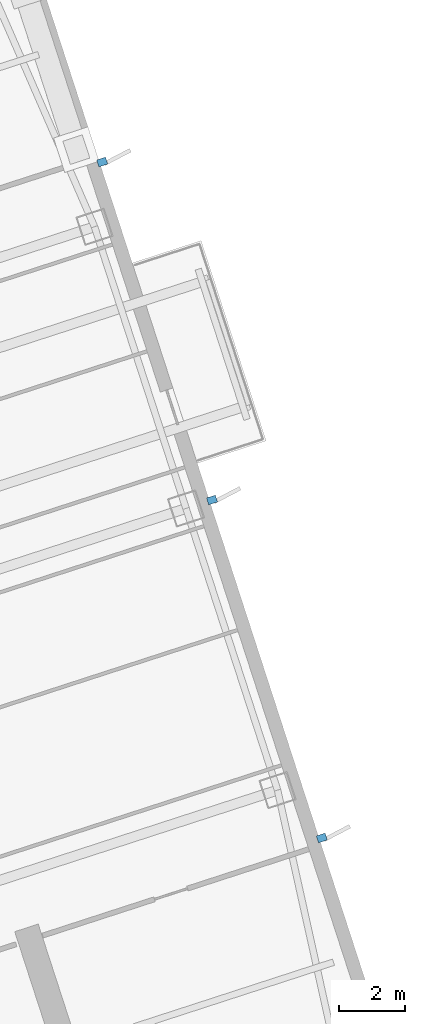
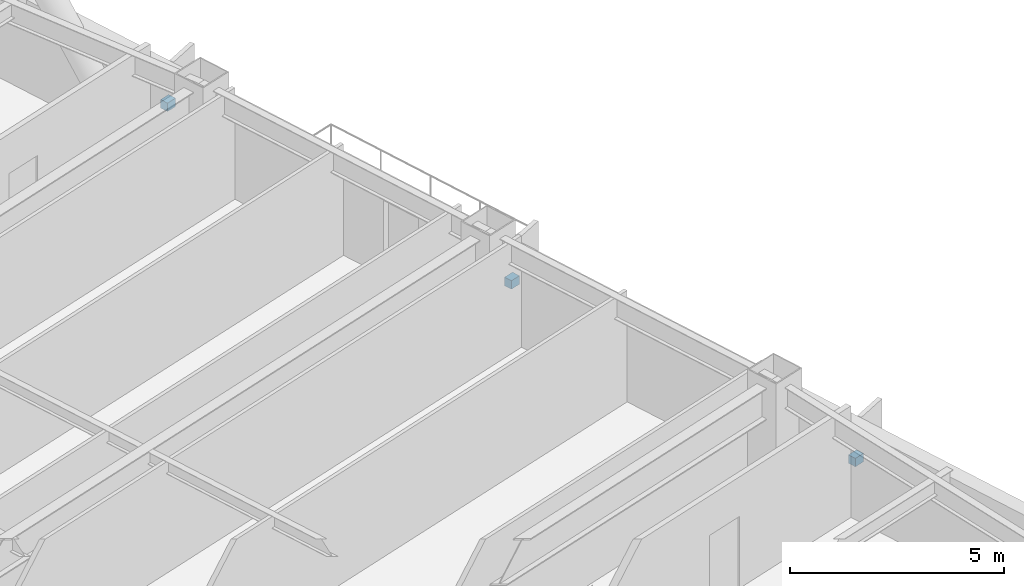
# One storey, part 14 of 19: 3 discrete accessories.
"""IFC4 building model written with IfcOpenShell, lengths in metres."""

from ifc_helpers import new_model, si_unit, direction, frame, origin, origin_2d, place, context, subcontext, project, spatial, rectangle, extrude, material, type_object, element, save


model = new_model("IFC4")

# Units and contexts
model_context = context("Model", 3, precision=1e-05, world=origin(), true_north=direction((0.0, 1.0)))
body_context = subcontext(model_context, "Body", "Model", "MODEL_VIEW")
ifc_project = project(units=[si_unit("LENGTHUNIT", "METRE"), si_unit("AREAUNIT", "SQUARE_METRE"), si_unit("VOLUMEUNIT", "CUBIC_METRE"), si_unit("PLANEANGLEUNIT", "RADIAN"), si_unit("MASSUNIT", "GRAM", prefix="KILO")], contexts=[model_context])

# Site, building, storey
site_placement = place(None, origin())
site = spatial("IfcSite", under=ifc_project, at=site_placement, CompositionType="ELEMENT")
building_placement = place(site_placement, origin())
building = spatial("IfcBuilding", under=site, at=building_placement, Name="Qiaolan Cultural Towers", CompositionType="ELEMENT")
storey_placement = place(building_placement, frame((0.0, 0.0, 78.199951171875)))
storey = spatial("IfcBuildingStorey", under=building, at=storey_placement, Name="L19", CompositionType="ELEMENT", Elevation=78.199951171875)

# Discrete accessories
ifc_material = material(Name="Stainless Steel S31608 Facade Anchor Bracket", Category="steel")
discrete_accessory_type = type_object("IfcDiscreteAccessoryType", Name="ACC-BRK-SS", PredefinedType="BRACKET", material=ifc_material)
for number, where, z_axis, x_axis, name in (
    (1, (110.056884765625, 29.1611328125, 1.18505859375), (0.0, 0.0, 1.0), (0.951056516295, 0.309016994375, 0.0), "L19 T2 Facade Fin Anchor Bracket E1"),
    (2, (106.719482421875, 39.4326171875, 1.18505859375), (0.0, 0.0, 1.0), (0.951056516295, 0.309016994375, 0.0), "L19 T2 Facade Fin Anchor Bracket E2"),
    (3, (103.382080078125, 49.703857421875, 1.18505859375), (0.0, 0.0, 1.0), (0.951056516295, 0.309016994375, 0.0), "L19 T2 Facade Fin Anchor Bracket E3"),
):
    element("IfcDiscreteAccessory", number, at=place(storey_placement, frame(where, z_axis=z_axis, x_axis=x_axis)), inside=storey, type_object=discrete_accessory_type, Name=name, PredefinedType="BRACKET", context=body_context, shape_type="SweptSolid", body=[
        extrude(rectangle(XDim=0.280029296875, YDim=0.219970703125, at=origin_2d()), origin(), (0.0, 0.0, 1.0), 0.239990234375),
    ])

save(model, "model.ifc")
